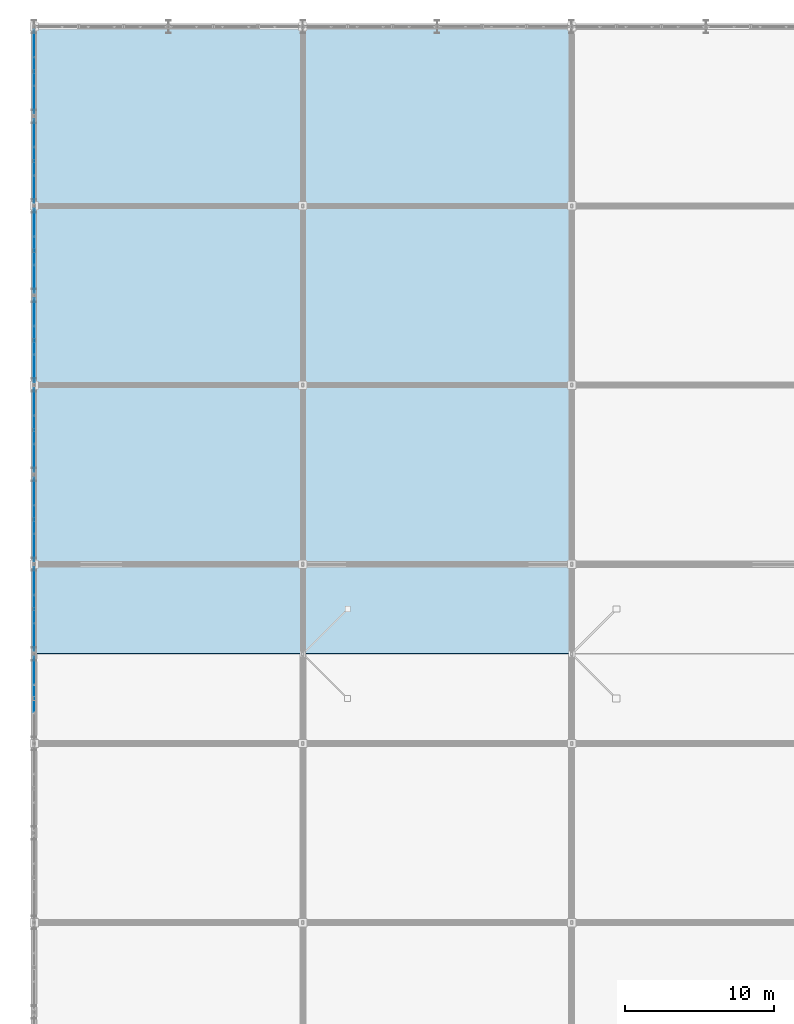
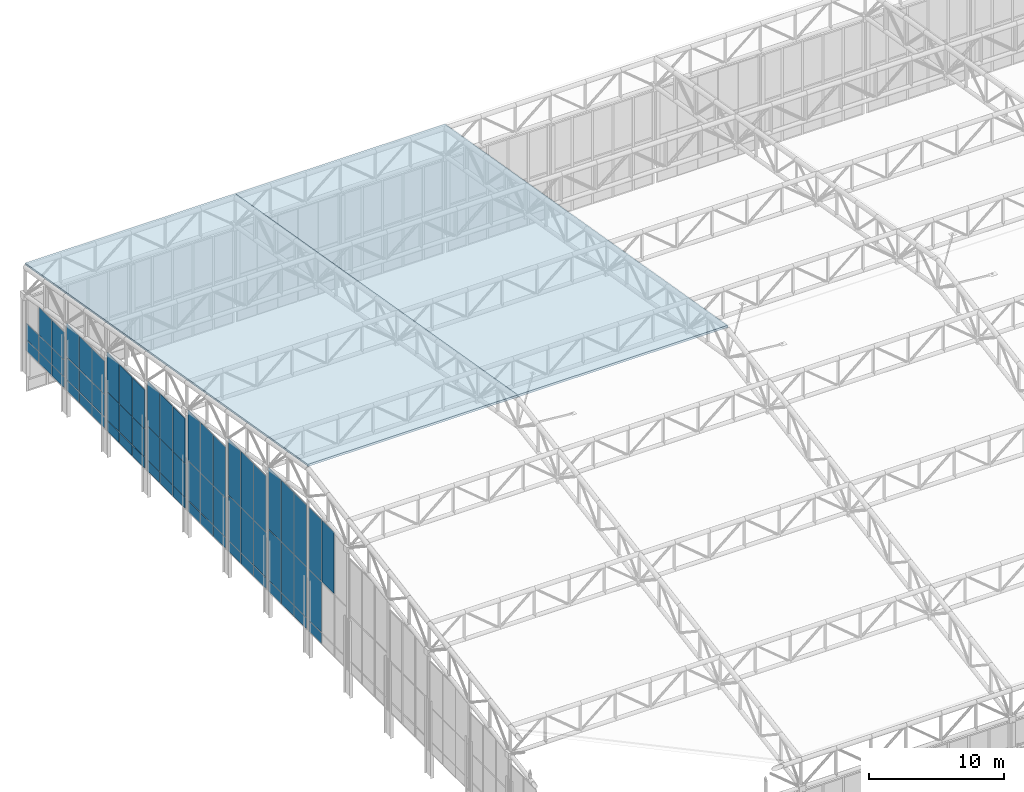
# One storey, part 186 of 239: 66 plates, 2 slabs, 9 elements without a shape of their own.
"""IFC4 building model written with IfcOpenShell, lengths in metres."""

import ifcopenshell
import ifcopenshell.guid

model = None  # the IFC model being written
_history = None  # IfcOwnerHistory: only IFC2X3 demands one
_inside = {}  # id of a spatial element -> (the spatial element, [elements in it])
_under = {}  # id of a project, library or spatial element -> (it, [spatial elements below it])
_declared = {}  # id of a project -> (the project, [libraries it declares])
_typed = {}  # id of a type object -> (the type object, [elements of that type])
_made_of = {}  # id of a material, layer set ... -> (it, [elements and type objects made of it])


def new_model(schema):
    """Start an empty IFC model of exactly this schema.

    Asked for "IFC4X3", IfcOpenShell would pick the latest addendum, in which some entities
    have other attributes; the version numbers below select the first issue.
    IFC2X3 requires an IfcOwnerHistory on every rooted entity: one is made here for all.
    """
    global model, _history
    if schema == "IFC4X3":
        model = ifcopenshell.file(schema_version=(4, 3, 0, 0))
    else:
        model = ifcopenshell.file(schema=schema)
    _inside.clear()
    _under.clear()
    _declared.clear()
    _typed.clear()
    _made_of.clear()
    _history = None
    if model.schema == "IFC2X3":
        org = make("IfcOrganization", Name="unknown")
        user = make(
            "IfcPersonAndOrganization",
            ThePerson=make("IfcPerson", FamilyName="unknown"),
            TheOrganization=org,
        )
        app = make(
            "IfcApplication",
            ApplicationDeveloper=org,
            Version="unknown",
            ApplicationFullName="unknown",
            ApplicationIdentifier="unknown",
        )
        _history = make(
            "IfcOwnerHistory",
            OwningUser=user,
            OwningApplication=app,
            ChangeAction="ADDED",
            CreationDate=0,
        )
    return model


def make(cls, **values):
    """One entity of the class cls with the attributes given. An attribute that is None is left unset."""
    return model.create_entity(
        cls, **{name: value for name, value in values.items() if value is not None}
    )


def rooted(cls, **values):
    """An entity with a GlobalId (a new one), such as an element, a storey or a relation."""
    return make(cls, GlobalId=ifcopenshell.guid.new(), OwnerHistory=_history, **values)


def si_unit(unit_type, name, prefix=None):
    """IfcSIUnit, for example si_unit("LENGTHUNIT", "METRE", prefix="MILLI")."""
    return make("IfcSIUnit", UnitType=unit_type, Prefix=prefix, Name=name)


def assignment(units):
    """IfcUnitAssignment: the units of a project."""
    return None if units is None else make("IfcUnitAssignment", Units=units)


def point(xyz):
    """IfcCartesianPoint."""
    return None if xyz is None else make("IfcCartesianPoint", Coordinates=xyz)


def direction(xyz):
    """IfcDirection."""
    return None if xyz is None else make("IfcDirection", DirectionRatios=xyz)


def frame(location, z_axis=None, x_axis=None):
    """IfcAxis2Placement3D, a coordinate frame: its origin and axes. An axis left out is left unset."""
    return make(
        "IfcAxis2Placement3D",
        Location=point(location),
        Axis=direction(z_axis),
        RefDirection=direction(x_axis),
    )


def frame_2d(location, x_axis=None):
    """IfcAxis2Placement2D, a coordinate frame in the plane: its origin and x axis."""
    return make(
        "IfcAxis2Placement2D", Location=point(location), RefDirection=direction(x_axis)
    )


def origin():
    """The frame at (0, 0, 0) with its axes left unset."""
    return frame((0.0, 0.0, 0.0))


def origin_2d():
    """The frame at (0, 0) in the plane with its x axis left unset."""
    return frame_2d((0.0, 0.0))


def place(relative_to, where):
    """IfcLocalPlacement: puts the frame where relative to a parent placement (None: the world)."""
    return make(
        "IfcLocalPlacement", PlacementRelTo=relative_to, RelativePlacement=where
    )


def context(
    kind, dimensions, precision=None, world=None, true_north=None, identifier=None
):
    """IfcGeometricRepresentationContext, for example the 3D "Model" context."""
    return make(
        "IfcGeometricRepresentationContext",
        ContextIdentifier=identifier,
        ContextType=kind,
        CoordinateSpaceDimension=dimensions,
        Precision=precision,
        WorldCoordinateSystem=world,
        TrueNorth=true_north,
    )


def subcontext(parent, identifier, kind, view, scale=None):
    """IfcGeometricRepresentationSubContext, for example "Body" below "Model"."""
    return make(
        "IfcGeometricRepresentationSubContext",
        ContextIdentifier=identifier,
        ContextType=kind,
        ParentContext=parent,
        TargetScale=scale,
        TargetView=view,
    )


def project(units=None, contexts=None):
    """IfcProject with its units and contexts."""
    return rooted(
        "IfcProject",
        Name="project",
        RepresentationContexts=contexts,
        UnitsInContext=assignment(units),
    )


def spatial(cls, under=None, at=None, **own):
    """A site, building, storey or space (cls), placed at a placement, below another one or the project."""
    s = rooted(cls, ObjectPlacement=at, **own)
    if under is not None:
        _under.setdefault(under.id(), (under, []))[1].append(s)
    return s


def polyline(points):
    """IfcPolyline through the points."""
    return make("IfcPolyline", Points=[point(p) for p in points])


def profile(cls, at=None, kind="AREA", **sizes):
    """A parametric profile (cls). Its sizes go by their IFC names, for example OverallWidth=200.0."""
    return make(cls, ProfileType=kind, Position=at, **sizes)


def rectangle(**sizes):
    """IfcRectangleProfileDef."""
    return profile("IfcRectangleProfileDef", **sizes)


def outline(outer, holes=None, kind="AREA"):
    """IfcArbitraryClosedProfileDef: a profile drawn as a closed curve; with holes, ...WithVoids."""
    if holes is None:
        return make("IfcArbitraryClosedProfileDef", ProfileType=kind, OuterCurve=outer)
    return make(
        "IfcArbitraryProfileDefWithVoids",
        ProfileType=kind,
        OuterCurve=outer,
        InnerCurves=holes,
    )


def extrude(swept, where, along, depth):
    """IfcExtrudedAreaSolid: the profile swept, set in the frame where, extruded along a direction by depth."""
    return make(
        "IfcExtrudedAreaSolid",
        SweptArea=swept,
        Position=where,
        ExtrudedDirection=direction(along),
        Depth=depth,
    )


def shape(context_of_items, identifier, shape_type, items):
    """IfcShapeRepresentation: the items that make up one representation, for example the "Body"."""
    return make(
        "IfcShapeRepresentation",
        ContextOfItems=context_of_items,
        RepresentationIdentifier=identifier,
        RepresentationType=shape_type,
        Items=items,
    )


def material(Name=None, Category=None):
    """IfcMaterial."""
    return make("IfcMaterial", Name=Name, Category=Category)


def layer(
    of_material, thickness, ventilated=None, Name=None, Category=None, Priority=None
):
    """IfcMaterialLayer: one layer of a wall or slab, of a material (None: an air gap)."""
    return make(
        "IfcMaterialLayer",
        Material=of_material,
        LayerThickness=thickness,
        IsVentilated=ventilated,
        Name=Name,
        Category=Category,
        Priority=Priority,
    )


def layer_set(layers, Name=None):
    """IfcMaterialLayerSet."""
    return make("IfcMaterialLayerSet", MaterialLayers=layers, LayerSetName=Name)


def made_of(thing, what):
    """Note that an element or type object is made of a material, layer set ...; save() writes the relation."""
    if what is not None:
        _made_of.setdefault(what.id(), (what, []))[1].append(thing)
    return thing


def type_object(cls, material=None, **own):
    """A type object (cls), such as IfcWallType, which elements share."""
    return made_of(rooted(cls, **own), material)


def element(
    cls,
    number,
    at=None,
    inside=None,
    cuts=None,
    type_object=None,
    material=None,
    context=None,
    identifier="Body",
    shape_type=None,
    held_by="IfcProductDefinitionShape",
    body=None,
    shapes=None,
    **own,
):
    """One element of the class cls, such as IfcWall. Its Tag is "e" and its number.

    at: its placement. inside: the storey or other place that contains it. cuts: it is an
    opening in that element (IfcRelVoidsElement). A single representation is given by context,
    identifier, shape_type and body (its items); several are given by shapes. held_by: the class
    of the entity that holds the representations. save() writes the other relations.
    """
    e = rooted(cls, Tag="e%d" % number, ObjectPlacement=at, **own)
    if body is not None:
        shapes = [shape(context, identifier, shape_type, body)]
    if shapes is not None:
        e.Representation = make(held_by, Representations=shapes)
    if inside is not None:
        _inside.setdefault(inside.id(), (inside, []))[1].append(e)
    if cuts is not None:
        rooted(
            "IfcRelVoidsElement", RelatingBuildingElement=cuts, RelatedOpeningElement=e
        )
    if type_object is not None:
        _typed.setdefault(type_object.id(), (type_object, []))[1].append(e)
    return made_of(e, material)


def aggregate(whole, parts):
    """IfcRelAggregates: a whole, such as a stair, and the parts it consists of."""
    return rooted("IfcRelAggregates", RelatingObject=whole, RelatedObjects=parts)


def save(model, path):
    """Write the relations noted so far, then the file.

    IfcRelAggregates (storeys below a building ...), IfcRelContainedInSpatialStructure (elements
    in a storey), IfcRelDefinesByType, IfcRelAssociatesMaterial and IfcRelDeclares: one each for
    every whole, place, type object, material and project.
    """
    for whole, parts in _under.values():
        aggregate(whole, parts)
    for where, things in _inside.values():
        rooted(
            "IfcRelContainedInSpatialStructure",
            RelatedElements=things,
            RelatingStructure=where,
        )
    for kind, things in _typed.values():
        rooted("IfcRelDefinesByType", RelatedObjects=things, RelatingType=kind)
    for what, things in _made_of.values():
        rooted("IfcRelAssociatesMaterial", RelatedObjects=things, RelatingMaterial=what)
    for by, libraries in _declared.values():
        rooted("IfcRelDeclares", RelatingContext=by, RelatedDefinitions=libraries)
    model.write(path)


model = new_model("IFC4")

# Units and contexts
model_context = context("Model", 3, precision=1e-05, world=origin(), true_north=direction((0.0, 1.0)))
body_context = subcontext(model_context, "Body", "Model", "MODEL_VIEW")
ifc_project = project(units=[si_unit("LENGTHUNIT", "METRE"), si_unit("AREAUNIT", "SQUARE_METRE"), si_unit("VOLUMEUNIT", "CUBIC_METRE"), si_unit("PLANEANGLEUNIT", "RADIAN"), si_unit("MASSUNIT", "GRAM", prefix="KILO")], contexts=[model_context])

# Site, building, storey
site_placement = place(None, origin())
site = spatial("IfcSite", under=ifc_project, at=site_placement, CompositionType="ELEMENT")
building_placement = place(site_placement, origin())
building = spatial("IfcBuilding", under=site, at=building_placement, Name="Kaldris Quays Convention Centre", CompositionType="ELEMENT")
storey_placement = place(building_placement, frame((0.0, 0.0, 11.39990234375)))
storey = spatial("IfcBuildingStorey", under=building, at=storey_placement, Name="L02", CompositionType="ELEMENT", Elevation=11.39990234375)

# Curtain wall, plates
ifc_material_1 = material(Name="Anodized aluminium AW-6060 and triple glazing", Category="aluminium")
curtain_wall_type = type_object("IfcCurtainWallType", Name="UNITISED CURTAIN WALL CW03", PredefinedType="NOTDEFINED", material=ifc_material_1)
curtain_wall_1_placement = place(storey_placement, origin())
curtain_wall_1 = element("IfcCurtainWall", 1, at=curtain_wall_1_placement, inside=storey, type_object=curtain_wall_type, Name="L02 Unitised Curtain Wall CW03 225", PredefinedType="NOTDEFINED")
ifc_material_2 = material(Name="Triple low-E insulated glazing", Category="glass")
plate_type_1 = type_object("IfcPlateType", Name="CURTAIN GLAZING PANEL CWP1", PredefinedType="CURTAIN_PANEL", material=ifc_material_2)
plate_1_placement = place(storey_placement, frame((20.0, 129.1083984375, 2.255126953125), z_axis=(0.0, 0.0, 1.0), x_axis=(0.0, 1.0, 0.0)))
plate_1 = element("IfcPlate", 2, at=plate_1_placement, type_object=plate_type_1, Name="CW03 panel 1.1", PredefinedType="CURTAIN_PANEL", context=body_context, shape_type="SweptSolid", body=[
    extrude(rectangle(XDim=1.816650390625, YDim=0.029052734375, at=origin_2d()), origin(), (0.0, 0.0, 1.0), 0.9599609375),
])
plate_2_placement = place(storey_placement, frame((20.0, 129.1083984375, 3.27490234375), z_axis=(0.0, 0.0, 1.0), x_axis=(0.0, 1.0, 0.0)))
plate_2 = element("IfcPlate", 3, at=plate_2_placement, type_object=plate_type_1, Name="CW03 panel 1.2", PredefinedType="CURTAIN_PANEL", context=body_context, shape_type="SweptSolid", body=[
    extrude(rectangle(XDim=1.816650390625, YDim=0.029052734375, at=origin_2d()), origin(), (0.0, 0.0, 1.0), 1.989013671875),
])
plate_3_placement = place(storey_placement, frame((20.0, 129.1083984375, 5.32421875), z_axis=(0.0, 0.0, 1.0), x_axis=(0.0, 1.0, 0.0)))
plate_3 = element("IfcPlate", 4, at=plate_3_placement, type_object=plate_type_1, Name="CW03 panel 1.3", PredefinedType="CURTAIN_PANEL", context=body_context, shape_type="SweptSolid", body=[
    extrude(rectangle(XDim=1.816650390625, YDim=0.029052734375, at=origin_2d()), origin(), (0.0, 0.0, 1.0), 3.009033203125),
])
plate_4_placement = place(storey_placement, frame((20.0, 131.0, 2.255126953125), z_axis=(0.0, 0.0, 1.0), x_axis=(0.0, 1.0, 0.0)))
plate_4 = element("IfcPlate", 5, at=plate_4_placement, type_object=plate_type_1, Name="CW03 panel 2.1", PredefinedType="CURTAIN_PANEL", context=body_context, shape_type="SweptSolid", body=[
    extrude(rectangle(XDim=1.8466796875, YDim=0.029052734375, at=origin_2d()), origin(), (0.0, 0.0, 1.0), 0.9599609375),
])
plate_5_placement = place(storey_placement, frame((20.0, 131.0, 3.27490234375), z_axis=(0.0, 0.0, 1.0), x_axis=(0.0, 1.0, 0.0)))
plate_5 = element("IfcPlate", 6, at=plate_5_placement, type_object=plate_type_1, Name="CW03 panel 2.2", PredefinedType="CURTAIN_PANEL", context=body_context, shape_type="SweptSolid", body=[
    extrude(rectangle(XDim=1.8466796875, YDim=0.029052734375, at=origin_2d()), origin(), (0.0, 0.0, 1.0), 1.989013671875),
])
plate_6_placement = place(storey_placement, frame((20.0, 131.0, 5.32421875), z_axis=(0.0, 0.0, 1.0), x_axis=(0.0, 1.0, 0.0)))
plate_6 = element("IfcPlate", 7, at=plate_6_placement, type_object=plate_type_1, Name="CW03 panel 2.3", PredefinedType="CURTAIN_PANEL", context=body_context, shape_type="SweptSolid", body=[
    extrude(rectangle(XDim=1.8466796875, YDim=0.029052734375, at=origin_2d()), origin(), (0.0, 0.0, 1.0), 3.009033203125),
])
plate_7_placement = place(storey_placement, frame((20.0, 132.8916015625, 2.255126953125), z_axis=(0.0, 0.0, 1.0), x_axis=(0.0, 1.0, 0.0)))
plate_7 = element("IfcPlate", 8, at=plate_7_placement, type_object=plate_type_1, Name="CW03 panel 3.1", PredefinedType="CURTAIN_PANEL", context=body_context, shape_type="SweptSolid", body=[
    extrude(rectangle(XDim=1.816650390625, YDim=0.029052734375, at=origin_2d()), origin(), (0.0, 0.0, 1.0), 0.9599609375),
])
plate_8_placement = place(storey_placement, frame((20.0, 132.8916015625, 3.27490234375), z_axis=(0.0, 0.0, 1.0), x_axis=(0.0, 1.0, 0.0)))
plate_8 = element("IfcPlate", 9, at=plate_8_placement, type_object=plate_type_1, Name="CW03 panel 3.2", PredefinedType="CURTAIN_PANEL", context=body_context, shape_type="SweptSolid", body=[
    extrude(rectangle(XDim=1.816650390625, YDim=0.029052734375, at=origin_2d()), origin(), (0.0, 0.0, 1.0), 1.989013671875),
])
plate_9_placement = place(storey_placement, frame((20.0, 132.8916015625, 5.32421875), z_axis=(0.0, 0.0, 1.0), x_axis=(0.0, 1.0, 0.0)))
plate_9 = element("IfcPlate", 10, at=plate_9_placement, type_object=plate_type_1, Name="CW03 panel 3.3", PredefinedType="CURTAIN_PANEL", context=body_context, shape_type="SweptSolid", body=[
    extrude(rectangle(XDim=1.816650390625, YDim=0.029052734375, at=origin_2d()), origin(), (0.0, 0.0, 1.0), 3.009033203125),
])
aggregate(curtain_wall_1, [plate_1, plate_2, plate_3, plate_4, plate_5, plate_6, plate_7, plate_8, plate_9])

curtain_wall_2_placement = place(storey_placement, origin())
curtain_wall_2 = element("IfcCurtainWall", 11, at=curtain_wall_2_placement, inside=storey, type_object=curtain_wall_type, Name="L02 Unitised Curtain Wall CW03 226", PredefinedType="NOTDEFINED")
plate_type_2 = type_object("IfcPlateType", Name="CURTAIN GLAZING PANEL CWP2", PredefinedType="CURTAIN_PANEL", material=ifc_material_2)
plate_10_placement = place(storey_placement, frame((20.0, 135.1083984375, 2.255126953125), z_axis=(0.0, 0.0, 1.0), x_axis=(0.0, 1.0, 0.0)))
plate_10 = element("IfcPlate", 12, at=plate_10_placement, type_object=plate_type_2, Name="CW03 panel 1.1", PredefinedType="CURTAIN_PANEL", context=body_context, shape_type="SweptSolid", body=[
    extrude(rectangle(XDim=1.816650390625, YDim=0.033935546875, at=origin_2d()), origin(), (0.0, 0.0, 1.0), 0.9599609375),
])
plate_11_placement = place(storey_placement, frame((20.0, 135.1083984375, 3.275146484375), z_axis=(0.0, 0.0, 1.0), x_axis=(0.0, 1.0, 0.0)))
plate_11 = element("IfcPlate", 13, at=plate_11_placement, type_object=plate_type_2, Name="CW03 panel 1.2", PredefinedType="CURTAIN_PANEL", context=body_context, shape_type="SweptSolid", body=[
    extrude(rectangle(XDim=1.816650390625, YDim=0.033935546875, at=origin_2d()), origin(), (0.0, 0.0, 1.0), 1.47509765625),
])
plate_12_placement = place(storey_placement, frame((20.0, 135.1083984375, 4.81005859375), z_axis=(0.0, 0.0, 1.0), x_axis=(0.0, 1.0, 0.0)))
plate_12 = element("IfcPlate", 14, at=plate_12_placement, type_object=plate_type_2, Name="CW03 panel 1.3", PredefinedType="CURTAIN_PANEL", context=body_context, shape_type="SweptSolid", body=[
    extrude(rectangle(XDim=1.816650390625, YDim=0.033935546875, at=origin_2d()), origin(), (0.0, 0.0, 1.0), 2.493896484375),
])
plate_13_placement = place(storey_placement, frame((20.0, 137.0, 2.255126953125), z_axis=(0.0, 0.0, 1.0), x_axis=(0.0, 1.0, 0.0)))
plate_13 = element("IfcPlate", 15, at=plate_13_placement, type_object=plate_type_2, Name="CW03 panel 2.1", PredefinedType="CURTAIN_PANEL", context=body_context, shape_type="SweptSolid", body=[
    extrude(rectangle(XDim=1.8466796875, YDim=0.033935546875, at=origin_2d()), origin(), (0.0, 0.0, 1.0), 0.9599609375),
])
plate_14_placement = place(storey_placement, frame((20.0, 137.0, 3.275146484375), z_axis=(0.0, 0.0, 1.0), x_axis=(0.0, 1.0, 0.0)))
plate_14 = element("IfcPlate", 16, at=plate_14_placement, type_object=plate_type_2, Name="CW03 panel 2.2", PredefinedType="CURTAIN_PANEL", context=body_context, shape_type="SweptSolid", body=[
    extrude(rectangle(XDim=1.8466796875, YDim=0.033935546875, at=origin_2d()), origin(), (0.0, 0.0, 1.0), 1.47509765625),
])
plate_15_placement = place(storey_placement, frame((20.0, 137.0, 4.81005859375), z_axis=(0.0, 0.0, 1.0), x_axis=(0.0, 1.0, 0.0)))
plate_15 = element("IfcPlate", 17, at=plate_15_placement, type_object=plate_type_2, Name="CW03 panel 2.3", PredefinedType="CURTAIN_PANEL", context=body_context, shape_type="SweptSolid", body=[
    extrude(rectangle(XDim=1.8466796875, YDim=0.033935546875, at=origin_2d()), origin(), (0.0, 0.0, 1.0), 2.493896484375),
])
plate_16_placement = place(storey_placement, frame((20.0, 138.8916015625, 2.255126953125), z_axis=(0.0, 0.0, 1.0), x_axis=(0.0, 1.0, 0.0)))
plate_16 = element("IfcPlate", 18, at=plate_16_placement, type_object=plate_type_2, Name="CW03 panel 3.1", PredefinedType="CURTAIN_PANEL", context=body_context, shape_type="SweptSolid", body=[
    extrude(rectangle(XDim=1.816650390625, YDim=0.033935546875, at=origin_2d()), origin(), (0.0, 0.0, 1.0), 0.9599609375),
])
plate_17_placement = place(storey_placement, frame((20.0, 138.8916015625, 3.275146484375), z_axis=(0.0, 0.0, 1.0), x_axis=(0.0, 1.0, 0.0)))
plate_17 = element("IfcPlate", 19, at=plate_17_placement, type_object=plate_type_2, Name="CW03 panel 3.2", PredefinedType="CURTAIN_PANEL", context=body_context, shape_type="SweptSolid", body=[
    extrude(rectangle(XDim=1.816650390625, YDim=0.033935546875, at=origin_2d()), origin(), (0.0, 0.0, 1.0), 1.47509765625),
])
aggregate(curtain_wall_2, [plate_10, plate_11, plate_12, plate_13, plate_14, plate_15, plate_16, plate_17])

curtain_wall_3_placement = place(storey_placement, origin())
curtain_wall_3 = element("IfcCurtainWall", 20, at=curtain_wall_3_placement, inside=storey, type_object=curtain_wall_type, Name="L02 Unitised Curtain Wall CW03 219", PredefinedType="NOTDEFINED")
plate_type_3 = type_object("IfcPlateType", Name="CURTAIN GLAZING PANEL CWP3", PredefinedType="CURTAIN_PANEL", material=ifc_material_2)
plate_18_placement = place(storey_placement, frame((20.0, 95.0, 7.89501953125), z_axis=(0.0, 0.0, 1.0), x_axis=(0.0, 1.0, 0.0)))
plate_18 = element("IfcPlate", 21, at=plate_18_placement, type_object=plate_type_3, Name="CW03 panel 2.3", PredefinedType="CURTAIN_PANEL", context=body_context, shape_type="SweptSolid", body=[
    extrude(rectangle(XDim=1.8466796875, YDim=0.0390625, at=origin_2d()), origin(), (0.0, 0.0, 1.0), 5.5810546875),
])
plate_19_placement = place(storey_placement, frame((20.0, 96.8916015625, 2.255126953125), z_axis=(0.0, 0.0, 1.0), x_axis=(0.0, 1.0, 0.0)))
plate_19 = element("IfcPlate", 22, at=plate_19_placement, type_object=plate_type_3, Name="CW03 panel 3.1", PredefinedType="CURTAIN_PANEL", context=body_context, shape_type="SweptSolid", body=[
    extrude(rectangle(XDim=1.816650390625, YDim=0.0390625, at=origin_2d()), origin(), (0.0, 0.0, 1.0), 0.9599609375),
])
plate_20_placement = place(storey_placement, frame((20.0, 96.8916015625, 3.275146484375), z_axis=(0.0, 0.0, 1.0), x_axis=(0.0, 1.0, 0.0)))
plate_20 = element("IfcPlate", 23, at=plate_20_placement, type_object=plate_type_3, Name="CW03 panel 3.2", PredefinedType="CURTAIN_PANEL", context=body_context, shape_type="SweptSolid", body=[
    extrude(rectangle(XDim=1.816650390625, YDim=0.0390625, at=origin_2d()), origin(), (0.0, 0.0, 1.0), 4.56005859375),
])
plate_21_placement = place(storey_placement, frame((20.0, 96.8916015625, 7.89501953125), z_axis=(0.0, 0.0, 1.0), x_axis=(0.0, 1.0, 0.0)))
plate_21 = element("IfcPlate", 24, at=plate_21_placement, type_object=plate_type_3, Name="CW03 panel 3.3", PredefinedType="CURTAIN_PANEL", context=body_context, shape_type="SweptSolid", body=[
    extrude(rectangle(XDim=1.816650390625, YDim=0.0390625, at=origin_2d()), origin(), (0.0, 0.0, 1.0), 5.5810546875),
])
aggregate(curtain_wall_3, [plate_18, plate_19, plate_20, plate_21])

curtain_wall_4_placement = place(storey_placement, origin())
curtain_wall_4 = element("IfcCurtainWall", 25, at=curtain_wall_4_placement, inside=storey, type_object=curtain_wall_type, Name="L02 Unitised Curtain Wall CW03 220", PredefinedType="NOTDEFINED")
plate_type_4 = type_object("IfcPlateType", Name="CURTAIN GLAZING PANEL CWP4", PredefinedType="CURTAIN_PANEL", material=ifc_material_2)
plate_22_placement = place(storey_placement, frame((20.0, 99.1083984375, 2.255126953125), z_axis=(0.0, 0.0, 1.0), x_axis=(0.0, 1.0, 0.0)))
plate_22 = element("IfcPlate", 26, at=plate_22_placement, type_object=plate_type_4, Name="CW03 panel 1.1", PredefinedType="CURTAIN_PANEL", context=body_context, shape_type="SweptSolid", body=[
    extrude(rectangle(XDim=1.816650390625, YDim=0.0439453125, at=origin_2d()), origin(), (0.0, 0.0, 1.0), 0.9599609375),
])
plate_23_placement = place(storey_placement, frame((20.0, 99.1083984375, 3.275146484375), z_axis=(0.0, 0.0, 1.0), x_axis=(0.0, 1.0, 0.0)))
plate_23 = element("IfcPlate", 27, at=plate_23_placement, type_object=plate_type_4, Name="CW03 panel 1.2", PredefinedType="CURTAIN_PANEL", context=body_context, shape_type="SweptSolid", body=[
    extrude(rectangle(XDim=1.816650390625, YDim=0.0439453125, at=origin_2d()), origin(), (0.0, 0.0, 1.0), 4.56005859375),
])
plate_24_placement = place(storey_placement, frame((20.0, 99.1083984375, 7.89501953125), z_axis=(0.0, 0.0, 1.0), x_axis=(0.0, 1.0, 0.0)))
plate_24 = element("IfcPlate", 28, at=plate_24_placement, type_object=plate_type_4, Name="CW03 panel 1.3", PredefinedType="CURTAIN_PANEL", context=body_context, shape_type="SweptSolid", body=[
    extrude(rectangle(XDim=1.816650390625, YDim=0.0439453125, at=origin_2d()), origin(), (0.0, 0.0, 1.0), 5.5810546875),
])
plate_25_placement = place(storey_placement, frame((20.0, 101.0, 2.255126953125), z_axis=(0.0, 0.0, 1.0), x_axis=(0.0, 1.0, 0.0)))
plate_25 = element("IfcPlate", 29, at=plate_25_placement, type_object=plate_type_4, Name="CW03 panel 2.1", PredefinedType="CURTAIN_PANEL", context=body_context, shape_type="SweptSolid", body=[
    extrude(rectangle(XDim=1.8466796875, YDim=0.0439453125, at=origin_2d()), origin(), (0.0, 0.0, 1.0), 0.9599609375),
])
plate_26_placement = place(storey_placement, frame((20.0, 101.0, 3.275146484375), z_axis=(0.0, 0.0, 1.0), x_axis=(0.0, 1.0, 0.0)))
plate_26 = element("IfcPlate", 30, at=plate_26_placement, type_object=plate_type_4, Name="CW03 panel 2.2", PredefinedType="CURTAIN_PANEL", context=body_context, shape_type="SweptSolid", body=[
    extrude(rectangle(XDim=1.8466796875, YDim=0.0439453125, at=origin_2d()), origin(), (0.0, 0.0, 1.0), 4.56005859375),
])
plate_27_placement = place(storey_placement, frame((20.0, 101.0, 7.89501953125), z_axis=(0.0, 0.0, 1.0), x_axis=(0.0, 1.0, 0.0)))
plate_27 = element("IfcPlate", 31, at=plate_27_placement, type_object=plate_type_4, Name="CW03 panel 2.3", PredefinedType="CURTAIN_PANEL", context=body_context, shape_type="SweptSolid", body=[
    extrude(rectangle(XDim=1.8466796875, YDim=0.0439453125, at=origin_2d()), origin(), (0.0, 0.0, 1.0), 5.5810546875),
])
plate_28_placement = place(storey_placement, frame((20.0, 102.8916015625, 2.255126953125), z_axis=(0.0, 0.0, 1.0), x_axis=(0.0, 1.0, 0.0)))
plate_28 = element("IfcPlate", 32, at=plate_28_placement, type_object=plate_type_4, Name="CW03 panel 3.1", PredefinedType="CURTAIN_PANEL", context=body_context, shape_type="SweptSolid", body=[
    extrude(rectangle(XDim=1.816650390625, YDim=0.0439453125, at=origin_2d()), origin(), (0.0, 0.0, 1.0), 0.9599609375),
])
plate_29_placement = place(storey_placement, frame((20.0, 102.8916015625, 3.275146484375), z_axis=(0.0, 0.0, 1.0), x_axis=(0.0, 1.0, 0.0)))
plate_29 = element("IfcPlate", 33, at=plate_29_placement, type_object=plate_type_4, Name="CW03 panel 3.2", PredefinedType="CURTAIN_PANEL", context=body_context, shape_type="SweptSolid", body=[
    extrude(rectangle(XDim=1.816650390625, YDim=0.0439453125, at=origin_2d()), origin(), (0.0, 0.0, 1.0), 4.56005859375),
])
plate_30_placement = place(storey_placement, frame((20.0, 102.8916015625, 7.89501953125), z_axis=(0.0, 0.0, 1.0), x_axis=(0.0, 1.0, 0.0)))
plate_30 = element("IfcPlate", 34, at=plate_30_placement, type_object=plate_type_4, Name="CW03 panel 3.3", PredefinedType="CURTAIN_PANEL", context=body_context, shape_type="SweptSolid", body=[
    extrude(rectangle(XDim=1.816650390625, YDim=0.0439453125, at=origin_2d()), origin(), (0.0, 0.0, 1.0), 5.5810546875),
])
aggregate(curtain_wall_4, [plate_22, plate_23, plate_24, plate_25, plate_26, plate_27, plate_28, plate_29, plate_30])

curtain_wall_5_placement = place(storey_placement, origin())
curtain_wall_5 = element("IfcCurtainWall", 35, at=curtain_wall_5_placement, inside=storey, type_object=curtain_wall_type, Name="L02 Unitised Curtain Wall CW03 221", PredefinedType="NOTDEFINED")
plate_type_5 = type_object("IfcPlateType", Name="CURTAIN GLAZING PANEL CWP5", PredefinedType="CURTAIN_PANEL", material=ifc_material_2)
plate_31_placement = place(storey_placement, frame((20.0, 105.1083984375, 2.255126953125), z_axis=(0.0, 0.0, 1.0), x_axis=(0.0, 1.0, 0.0)))
plate_31 = element("IfcPlate", 36, at=plate_31_placement, type_object=plate_type_5, Name="CW03 panel 1.1", PredefinedType="CURTAIN_PANEL", context=body_context, shape_type="SweptSolid", body=[
    extrude(rectangle(XDim=1.816650390625, YDim=0.049072265625, at=origin_2d()), origin(), (0.0, 0.0, 1.0), 0.9599609375),
])
plate_32_placement = place(storey_placement, frame((20.0, 105.1083984375, 3.275146484375), z_axis=(0.0, 0.0, 1.0), x_axis=(0.0, 1.0, 0.0)))
plate_32 = element("IfcPlate", 37, at=plate_32_placement, type_object=plate_type_5, Name="CW03 panel 1.2", PredefinedType="CURTAIN_PANEL", context=body_context, shape_type="SweptSolid", body=[
    extrude(rectangle(XDim=1.816650390625, YDim=0.049072265625, at=origin_2d()), origin(), (0.0, 0.0, 1.0), 4.0458984375),
])
plate_33_placement = place(storey_placement, frame((20.0, 105.1083984375, 7.381103515625), z_axis=(0.0, 0.0, 1.0), x_axis=(0.0, 1.0, 0.0)))
plate_33 = element("IfcPlate", 38, at=plate_33_placement, type_object=plate_type_5, Name="CW03 panel 1.3", PredefinedType="CURTAIN_PANEL", context=body_context, shape_type="SweptSolid", body=[
    extrude(rectangle(XDim=1.816650390625, YDim=0.049072265625, at=origin_2d()), origin(), (0.0, 0.0, 1.0), 5.06591796875),
])
plate_34_placement = place(storey_placement, frame((20.0, 107.0, 2.255126953125), z_axis=(0.0, 0.0, 1.0), x_axis=(0.0, 1.0, 0.0)))
plate_34 = element("IfcPlate", 39, at=plate_34_placement, type_object=plate_type_5, Name="CW03 panel 2.1", PredefinedType="CURTAIN_PANEL", context=body_context, shape_type="SweptSolid", body=[
    extrude(rectangle(XDim=1.8466796875, YDim=0.049072265625, at=origin_2d()), origin(), (0.0, 0.0, 1.0), 0.9599609375),
])
plate_35_placement = place(storey_placement, frame((20.0, 107.0, 3.275146484375), z_axis=(0.0, 0.0, 1.0), x_axis=(0.0, 1.0, 0.0)))
plate_35 = element("IfcPlate", 40, at=plate_35_placement, type_object=plate_type_5, Name="CW03 panel 2.2", PredefinedType="CURTAIN_PANEL", context=body_context, shape_type="SweptSolid", body=[
    extrude(rectangle(XDim=1.8466796875, YDim=0.049072265625, at=origin_2d()), origin(), (0.0, 0.0, 1.0), 4.0458984375),
])
plate_36_placement = place(storey_placement, frame((20.0, 107.0, 7.381103515625), z_axis=(0.0, 0.0, 1.0), x_axis=(0.0, 1.0, 0.0)))
plate_36 = element("IfcPlate", 41, at=plate_36_placement, type_object=plate_type_5, Name="CW03 panel 2.3", PredefinedType="CURTAIN_PANEL", context=body_context, shape_type="SweptSolid", body=[
    extrude(rectangle(XDim=1.8466796875, YDim=0.049072265625, at=origin_2d()), origin(), (0.0, 0.0, 1.0), 5.06591796875),
])
plate_37_placement = place(storey_placement, frame((20.0, 108.8916015625, 2.255126953125), z_axis=(0.0, 0.0, 1.0), x_axis=(0.0, 1.0, 0.0)))
plate_37 = element("IfcPlate", 42, at=plate_37_placement, type_object=plate_type_5, Name="CW03 panel 3.1", PredefinedType="CURTAIN_PANEL", context=body_context, shape_type="SweptSolid", body=[
    extrude(rectangle(XDim=1.816650390625, YDim=0.049072265625, at=origin_2d()), origin(), (0.0, 0.0, 1.0), 0.9599609375),
])
plate_38_placement = place(storey_placement, frame((20.0, 108.8916015625, 3.275146484375), z_axis=(0.0, 0.0, 1.0), x_axis=(0.0, 1.0, 0.0)))
plate_38 = element("IfcPlate", 43, at=plate_38_placement, type_object=plate_type_5, Name="CW03 panel 3.2", PredefinedType="CURTAIN_PANEL", context=body_context, shape_type="SweptSolid", body=[
    extrude(rectangle(XDim=1.816650390625, YDim=0.049072265625, at=origin_2d()), origin(), (0.0, 0.0, 1.0), 4.0458984375),
])
plate_39_placement = place(storey_placement, frame((20.0, 108.8916015625, 7.381103515625), z_axis=(0.0, 0.0, 1.0), x_axis=(0.0, 1.0, 0.0)))
plate_39 = element("IfcPlate", 44, at=plate_39_placement, type_object=plate_type_5, Name="CW03 panel 3.3", PredefinedType="CURTAIN_PANEL", context=body_context, shape_type="SweptSolid", body=[
    extrude(rectangle(XDim=1.816650390625, YDim=0.049072265625, at=origin_2d()), origin(), (0.0, 0.0, 1.0), 5.06591796875),
])
aggregate(curtain_wall_5, [plate_31, plate_32, plate_33, plate_34, plate_35, plate_36, plate_37, plate_38, plate_39])

curtain_wall_6_placement = place(storey_placement, origin())
curtain_wall_6 = element("IfcCurtainWall", 45, at=curtain_wall_6_placement, inside=storey, type_object=curtain_wall_type, Name="L02 Unitised Curtain Wall CW03 222", PredefinedType="NOTDEFINED")
plate_type_6 = type_object("IfcPlateType", Name="CURTAIN GLAZING PANEL CWP6", PredefinedType="CURTAIN_PANEL", material=ifc_material_2)
plate_40_placement = place(storey_placement, frame((20.0, 111.1083984375, 2.255126953125), z_axis=(0.0, 0.0, 1.0), x_axis=(0.0, 1.0, 0.0)))
plate_40 = element("IfcPlate", 46, at=plate_40_placement, type_object=plate_type_6, Name="CW03 panel 1.1", PredefinedType="CURTAIN_PANEL", context=body_context, shape_type="SweptSolid", body=[
    extrude(rectangle(XDim=1.816650390625, YDim=0.053955078125, at=origin_2d()), origin(), (0.0, 0.0, 1.0), 0.9599609375),
])
plate_41_placement = place(storey_placement, frame((20.0, 111.1083984375, 3.27490234375), z_axis=(0.0, 0.0, 1.0), x_axis=(0.0, 1.0, 0.0)))
plate_41 = element("IfcPlate", 47, at=plate_41_placement, type_object=plate_type_6, Name="CW03 panel 1.2", PredefinedType="CURTAIN_PANEL", context=body_context, shape_type="SweptSolid", body=[
    extrude(rectangle(XDim=1.816650390625, YDim=0.053955078125, at=origin_2d()), origin(), (0.0, 0.0, 1.0), 3.531982421875),
])
plate_42_placement = place(storey_placement, frame((20.0, 111.1083984375, 6.8671875), z_axis=(0.0, 0.0, 1.0), x_axis=(0.0, 1.0, 0.0)))
plate_42 = element("IfcPlate", 48, at=plate_42_placement, type_object=plate_type_6, Name="CW03 panel 1.3", PredefinedType="CURTAIN_PANEL", context=body_context, shape_type="SweptSolid", body=[
    extrude(rectangle(XDim=1.816650390625, YDim=0.053955078125, at=origin_2d()), origin(), (0.0, 0.0, 1.0), 4.552001953125),
])
plate_43_placement = place(storey_placement, frame((20.0, 113.0, 2.255126953125), z_axis=(0.0, 0.0, 1.0), x_axis=(0.0, 1.0, 0.0)))
plate_43 = element("IfcPlate", 49, at=plate_43_placement, type_object=plate_type_6, Name="CW03 panel 2.1", PredefinedType="CURTAIN_PANEL", context=body_context, shape_type="SweptSolid", body=[
    extrude(rectangle(XDim=1.8466796875, YDim=0.053955078125, at=origin_2d()), origin(), (0.0, 0.0, 1.0), 0.9599609375),
])
plate_44_placement = place(storey_placement, frame((20.0, 113.0, 3.27490234375), z_axis=(0.0, 0.0, 1.0), x_axis=(0.0, 1.0, 0.0)))
plate_44 = element("IfcPlate", 50, at=plate_44_placement, type_object=plate_type_6, Name="CW03 panel 2.2", PredefinedType="CURTAIN_PANEL", context=body_context, shape_type="SweptSolid", body=[
    extrude(rectangle(XDim=1.8466796875, YDim=0.053955078125, at=origin_2d()), origin(), (0.0, 0.0, 1.0), 3.531982421875),
])
plate_45_placement = place(storey_placement, frame((20.0, 113.0, 6.8671875), z_axis=(0.0, 0.0, 1.0), x_axis=(0.0, 1.0, 0.0)))
plate_45 = element("IfcPlate", 51, at=plate_45_placement, type_object=plate_type_6, Name="CW03 panel 2.3", PredefinedType="CURTAIN_PANEL", context=body_context, shape_type="SweptSolid", body=[
    extrude(rectangle(XDim=1.8466796875, YDim=0.053955078125, at=origin_2d()), origin(), (0.0, 0.0, 1.0), 4.552001953125),
])
plate_46_placement = place(storey_placement, frame((20.0, 114.8916015625, 2.255126953125), z_axis=(0.0, 0.0, 1.0), x_axis=(0.0, 1.0, 0.0)))
plate_46 = element("IfcPlate", 52, at=plate_46_placement, type_object=plate_type_6, Name="CW03 panel 3.1", PredefinedType="CURTAIN_PANEL", context=body_context, shape_type="SweptSolid", body=[
    extrude(rectangle(XDim=1.816650390625, YDim=0.053955078125, at=origin_2d()), origin(), (0.0, 0.0, 1.0), 0.9599609375),
])
plate_47_placement = place(storey_placement, frame((20.0, 114.8916015625, 3.27490234375), z_axis=(0.0, 0.0, 1.0), x_axis=(0.0, 1.0, 0.0)))
plate_47 = element("IfcPlate", 53, at=plate_47_placement, type_object=plate_type_6, Name="CW03 panel 3.2", PredefinedType="CURTAIN_PANEL", context=body_context, shape_type="SweptSolid", body=[
    extrude(rectangle(XDim=1.816650390625, YDim=0.053955078125, at=origin_2d()), origin(), (0.0, 0.0, 1.0), 3.531982421875),
])
plate_48_placement = place(storey_placement, frame((20.0, 114.8916015625, 6.8671875), z_axis=(0.0, 0.0, 1.0), x_axis=(0.0, 1.0, 0.0)))
plate_48 = element("IfcPlate", 54, at=plate_48_placement, type_object=plate_type_6, Name="CW03 panel 3.3", PredefinedType="CURTAIN_PANEL", context=body_context, shape_type="SweptSolid", body=[
    extrude(rectangle(XDim=1.816650390625, YDim=0.053955078125, at=origin_2d()), origin(), (0.0, 0.0, 1.0), 4.552001953125),
])
aggregate(curtain_wall_6, [plate_40, plate_41, plate_42, plate_43, plate_44, plate_45, plate_46, plate_47, plate_48])

curtain_wall_7_placement = place(storey_placement, origin())
curtain_wall_7 = element("IfcCurtainWall", 55, at=curtain_wall_7_placement, inside=storey, type_object=curtain_wall_type, Name="L02 Unitised Curtain Wall CW03 223", PredefinedType="NOTDEFINED")
plate_type_7 = type_object("IfcPlateType", Name="CURTAIN GLAZING PANEL CWP7", PredefinedType="CURTAIN_PANEL", material=ifc_material_2)
plate_49_placement = place(storey_placement, frame((20.0, 117.1083984375, 2.255126953125), z_axis=(0.0, 0.0, 1.0), x_axis=(0.0, 1.0, 0.0)))
plate_49 = element("IfcPlate", 56, at=plate_49_placement, type_object=plate_type_7, Name="CW03 panel 1.1", PredefinedType="CURTAIN_PANEL", context=body_context, shape_type="SweptSolid", body=[
    extrude(rectangle(XDim=1.816650390625, YDim=0.05908203125, at=origin_2d()), origin(), (0.0, 0.0, 1.0), 0.9599609375),
])
plate_50_placement = place(storey_placement, frame((20.0, 117.1083984375, 3.275146484375), z_axis=(0.0, 0.0, 1.0), x_axis=(0.0, 1.0, 0.0)))
plate_50 = element("IfcPlate", 57, at=plate_50_placement, type_object=plate_type_7, Name="CW03 panel 1.2", PredefinedType="CURTAIN_PANEL", context=body_context, shape_type="SweptSolid", body=[
    extrude(rectangle(XDim=1.816650390625, YDim=0.05908203125, at=origin_2d()), origin(), (0.0, 0.0, 1.0), 3.01806640625),
])
plate_51_placement = place(storey_placement, frame((20.0, 117.1083984375, 6.35302734375), z_axis=(0.0, 0.0, 1.0), x_axis=(0.0, 1.0, 0.0)))
plate_51 = element("IfcPlate", 58, at=plate_51_placement, type_object=plate_type_7, Name="CW03 panel 1.3", PredefinedType="CURTAIN_PANEL", context=body_context, shape_type="SweptSolid", body=[
    extrude(rectangle(XDim=1.816650390625, YDim=0.05908203125, at=origin_2d()), origin(), (0.0, 0.0, 1.0), 4.037109375),
])
plate_52_placement = place(storey_placement, frame((20.0, 119.0, 2.255126953125), z_axis=(0.0, 0.0, 1.0), x_axis=(0.0, 1.0, 0.0)))
plate_52 = element("IfcPlate", 59, at=plate_52_placement, type_object=plate_type_7, Name="CW03 panel 2.1", PredefinedType="CURTAIN_PANEL", context=body_context, shape_type="SweptSolid", body=[
    extrude(rectangle(XDim=1.8466796875, YDim=0.05908203125, at=origin_2d()), origin(), (0.0, 0.0, 1.0), 0.9599609375),
])
plate_53_placement = place(storey_placement, frame((20.0, 119.0, 3.275146484375), z_axis=(0.0, 0.0, 1.0), x_axis=(0.0, 1.0, 0.0)))
plate_53 = element("IfcPlate", 60, at=plate_53_placement, type_object=plate_type_7, Name="CW03 panel 2.2", PredefinedType="CURTAIN_PANEL", context=body_context, shape_type="SweptSolid", body=[
    extrude(rectangle(XDim=1.8466796875, YDim=0.05908203125, at=origin_2d()), origin(), (0.0, 0.0, 1.0), 3.01806640625),
])
plate_54_placement = place(storey_placement, frame((20.0, 119.0, 6.35302734375), z_axis=(0.0, 0.0, 1.0), x_axis=(0.0, 1.0, 0.0)))
plate_54 = element("IfcPlate", 61, at=plate_54_placement, type_object=plate_type_7, Name="CW03 panel 2.3", PredefinedType="CURTAIN_PANEL", context=body_context, shape_type="SweptSolid", body=[
    extrude(rectangle(XDim=1.8466796875, YDim=0.05908203125, at=origin_2d()), origin(), (0.0, 0.0, 1.0), 4.037109375),
])
plate_55_placement = place(storey_placement, frame((20.0, 120.8916015625, 2.255126953125), z_axis=(0.0, 0.0, 1.0), x_axis=(0.0, 1.0, 0.0)))
plate_55 = element("IfcPlate", 62, at=plate_55_placement, type_object=plate_type_7, Name="CW03 panel 3.1", PredefinedType="CURTAIN_PANEL", context=body_context, shape_type="SweptSolid", body=[
    extrude(rectangle(XDim=1.816650390625, YDim=0.05908203125, at=origin_2d()), origin(), (0.0, 0.0, 1.0), 0.9599609375),
])
plate_56_placement = place(storey_placement, frame((20.0, 120.8916015625, 3.275146484375), z_axis=(0.0, 0.0, 1.0), x_axis=(0.0, 1.0, 0.0)))
plate_56 = element("IfcPlate", 63, at=plate_56_placement, type_object=plate_type_7, Name="CW03 panel 3.2", PredefinedType="CURTAIN_PANEL", context=body_context, shape_type="SweptSolid", body=[
    extrude(rectangle(XDim=1.816650390625, YDim=0.05908203125, at=origin_2d()), origin(), (0.0, 0.0, 1.0), 3.01806640625),
])
plate_57_placement = place(storey_placement, frame((20.0, 120.8916015625, 6.35302734375), z_axis=(0.0, 0.0, 1.0), x_axis=(0.0, 1.0, 0.0)))
plate_57 = element("IfcPlate", 64, at=plate_57_placement, type_object=plate_type_7, Name="CW03 panel 3.3", PredefinedType="CURTAIN_PANEL", context=body_context, shape_type="SweptSolid", body=[
    extrude(rectangle(XDim=1.816650390625, YDim=0.05908203125, at=origin_2d()), origin(), (0.0, 0.0, 1.0), 4.037109375),
])
aggregate(curtain_wall_7, [plate_49, plate_50, plate_51, plate_52, plate_53, plate_54, plate_55, plate_56, plate_57])

curtain_wall_8_placement = place(storey_placement, origin())
curtain_wall_8 = element("IfcCurtainWall", 65, at=curtain_wall_8_placement, inside=storey, type_object=curtain_wall_type, Name="L02 Unitised Curtain Wall CW03 224", PredefinedType="NOTDEFINED")
plate_type_8 = type_object("IfcPlateType", Name="CURTAIN GLAZING PANEL CWP8", PredefinedType="CURTAIN_PANEL", material=ifc_material_2)
plate_58_placement = place(storey_placement, frame((20.0, 123.1083984375, 2.255126953125), z_axis=(0.0, 0.0, 1.0), x_axis=(0.0, 1.0, 0.0)))
plate_58 = element("IfcPlate", 66, at=plate_58_placement, type_object=plate_type_8, Name="CW03 panel 1.1", PredefinedType="CURTAIN_PANEL", context=body_context, shape_type="SweptSolid", body=[
    extrude(rectangle(XDim=1.816650390625, YDim=0.06396484375, at=origin_2d()), origin(), (0.0, 0.0, 1.0), 0.9599609375),
])
plate_59_placement = place(storey_placement, frame((20.0, 123.1083984375, 3.275146484375), z_axis=(0.0, 0.0, 1.0), x_axis=(0.0, 1.0, 0.0)))
plate_59 = element("IfcPlate", 67, at=plate_59_placement, type_object=plate_type_8, Name="CW03 panel 1.2", PredefinedType="CURTAIN_PANEL", context=body_context, shape_type="SweptSolid", body=[
    extrude(rectangle(XDim=1.816650390625, YDim=0.06396484375, at=origin_2d()), origin(), (0.0, 0.0, 1.0), 2.5029296875),
])
plate_60_placement = place(storey_placement, frame((20.0, 123.1083984375, 5.838134765625), z_axis=(0.0, 0.0, 1.0), x_axis=(0.0, 1.0, 0.0)))
plate_60 = element("IfcPlate", 68, at=plate_60_placement, type_object=plate_type_8, Name="CW03 panel 1.3", PredefinedType="CURTAIN_PANEL", context=body_context, shape_type="SweptSolid", body=[
    extrude(rectangle(XDim=1.816650390625, YDim=0.06396484375, at=origin_2d()), origin(), (0.0, 0.0, 1.0), 3.52294921875),
])
plate_61_placement = place(storey_placement, frame((20.0, 125.0, 2.255126953125), z_axis=(0.0, 0.0, 1.0), x_axis=(0.0, 1.0, 0.0)))
plate_61 = element("IfcPlate", 69, at=plate_61_placement, type_object=plate_type_8, Name="CW03 panel 2.1", PredefinedType="CURTAIN_PANEL", context=body_context, shape_type="SweptSolid", body=[
    extrude(rectangle(XDim=1.8466796875, YDim=0.06396484375, at=origin_2d()), origin(), (0.0, 0.0, 1.0), 0.9599609375),
])
plate_62_placement = place(storey_placement, frame((20.0, 125.0, 3.275146484375), z_axis=(0.0, 0.0, 1.0), x_axis=(0.0, 1.0, 0.0)))
plate_62 = element("IfcPlate", 70, at=plate_62_placement, type_object=plate_type_8, Name="CW03 panel 2.2", PredefinedType="CURTAIN_PANEL", context=body_context, shape_type="SweptSolid", body=[
    extrude(rectangle(XDim=1.8466796875, YDim=0.06396484375, at=origin_2d()), origin(), (0.0, 0.0, 1.0), 2.5029296875),
])
plate_63_placement = place(storey_placement, frame((20.0, 125.0, 5.838134765625), z_axis=(0.0, 0.0, 1.0), x_axis=(0.0, 1.0, 0.0)))
plate_63 = element("IfcPlate", 71, at=plate_63_placement, type_object=plate_type_8, Name="CW03 panel 2.3", PredefinedType="CURTAIN_PANEL", context=body_context, shape_type="SweptSolid", body=[
    extrude(rectangle(XDim=1.8466796875, YDim=0.06396484375, at=origin_2d()), origin(), (0.0, 0.0, 1.0), 3.52294921875),
])
plate_64_placement = place(storey_placement, frame((20.0, 126.8916015625, 2.255126953125), z_axis=(0.0, 0.0, 1.0), x_axis=(0.0, 1.0, 0.0)))
plate_64 = element("IfcPlate", 72, at=plate_64_placement, type_object=plate_type_8, Name="CW03 panel 3.1", PredefinedType="CURTAIN_PANEL", context=body_context, shape_type="SweptSolid", body=[
    extrude(rectangle(XDim=1.816650390625, YDim=0.06396484375, at=origin_2d()), origin(), (0.0, 0.0, 1.0), 0.9599609375),
])
plate_65_placement = place(storey_placement, frame((20.0, 126.8916015625, 3.275146484375), z_axis=(0.0, 0.0, 1.0), x_axis=(0.0, 1.0, 0.0)))
plate_65 = element("IfcPlate", 73, at=plate_65_placement, type_object=plate_type_8, Name="CW03 panel 3.2", PredefinedType="CURTAIN_PANEL", context=body_context, shape_type="SweptSolid", body=[
    extrude(rectangle(XDim=1.816650390625, YDim=0.06396484375, at=origin_2d()), origin(), (0.0, 0.0, 1.0), 2.5029296875),
])
plate_66_placement = place(storey_placement, frame((20.0, 126.8916015625, 5.838134765625), z_axis=(0.0, 0.0, 1.0), x_axis=(0.0, 1.0, 0.0)))
plate_66 = element("IfcPlate", 74, at=plate_66_placement, type_object=plate_type_8, Name="CW03 panel 3.3", PredefinedType="CURTAIN_PANEL", context=body_context, shape_type="SweptSolid", body=[
    extrude(rectangle(XDim=1.816650390625, YDim=0.06396484375, at=origin_2d()), origin(), (0.0, 0.0, 1.0), 3.52294921875),
])
aggregate(curtain_wall_8, [plate_58, plate_59, plate_60, plate_61, plate_62, plate_63, plate_64, plate_65, plate_66])

# Roof, slabs
ifc_material_3 = material(Name="Steel S355J2", Category="steel")
ifc_layer_1 = layer(ifc_material_3, 0.175048828125)
ifc_layer_set_1 = layer_set([ifc_layer_1], Name="Steel S355J2")
roof_type = type_object("IfcRoofType", Name="SPACE FRAME GABLE ROOF RF01", PredefinedType="GABLE_ROOF", material=ifc_layer_set_1)
roof_placement = place(storey_placement, origin())
roof = element("IfcRoof", 75, at=roof_placement, inside=storey, type_object=roof_type, Name="Space-Frame Roof ROOF-V1-SF", PredefinedType="GABLE_ROOF")
ifc_layer_2 = layer(ifc_material_3, 0.175048828125)
ifc_layer_set_2 = layer_set([ifc_layer_2], Name="Steel S355J2")
slab_type = type_object("IfcSlabType", Name="STRUCTURAL SLAB RS02", PredefinedType="ROOF", material=ifc_layer_set_2)
slab_1_placement = place(storey_placement, frame((20.0, 98.02490234375, 17.245361328125), z_axis=(0.0, 0.168959837226, 0.985622936728), x_axis=(1.0, 0.0, 0.0)))
slab_1 = element("IfcSlab", 76, at=slab_1_placement, type_object=slab_type, Name="SF-V1 Pitched Roof Deck 2.1", PredefinedType="ROOF", context=body_context, shape_type="SweptSolid", body=[
    extrude(outline(polyline([(0.0, 0.0), (18.0, 0.0), (18.0, 42.587379100153214), (0.0, 42.587379100153214), (0.0, 0.0)])), origin(), (0.0, 0.0, -1.0), 0.175048828125),
])
slab_2_placement = place(storey_placement, frame((38.0, 98.02490234375, 17.245361328125), z_axis=(0.0, 0.168959837226, 0.985622936728), x_axis=(1.0, 0.0, 0.0)))
slab_2 = element("IfcSlab", 77, at=slab_2_placement, type_object=slab_type, Name="SF-V1 Pitched Roof Deck 2.2", PredefinedType="ROOF", context=body_context, shape_type="SweptSolid", body=[
    extrude(outline(polyline([(0.0, 0.0), (18.0, 0.0), (18.0, 42.587379100153214), (0.0, 42.587379100153214), (0.0, 0.0)])), origin(), (0.0, 0.0, -1.0), 0.175048828125),
])
aggregate(roof, [slab_1, slab_2])

save(model, "model.ifc")
